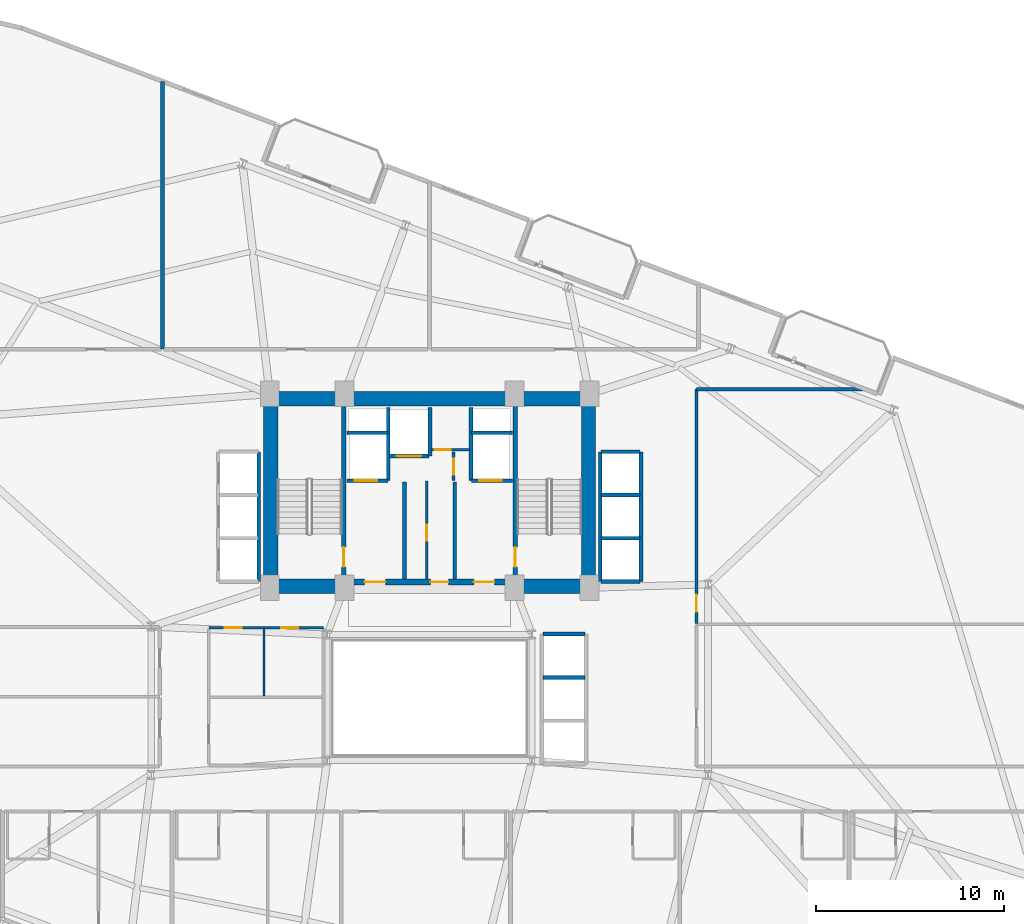
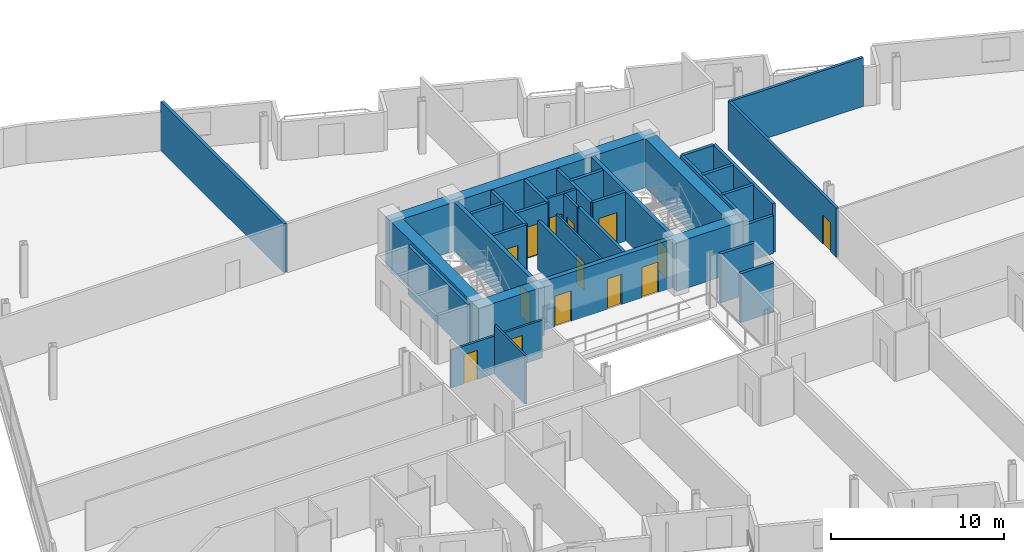
# One storey, part 19 of 25: 35 walls, 14 doors, 14 openings.
"""IFC4 building model written with IfcOpenShell, lengths in metres."""

from ifc_helpers import new_model, si_unit, direction, frame, frame_2d, origin, place, context, subcontext, project, spatial, rectangle, extrude, material, layer, layer_set, type_object, element, fill, save


model = new_model("IFC4")

# Units and contexts
model_context = context("Model", 3, precision=1e-05, world=origin(), true_north=direction((0.0, 1.0)))
body_context = subcontext(model_context, "Body", "Model", "MODEL_VIEW")
ifc_project = project(units=[si_unit("LENGTHUNIT", "METRE"), si_unit("AREAUNIT", "SQUARE_METRE"), si_unit("VOLUMEUNIT", "CUBIC_METRE"), si_unit("PLANEANGLEUNIT", "RADIAN"), si_unit("MASSUNIT", "GRAM", prefix="KILO")], contexts=[model_context])

# Site, building, storey
site_placement = place(None, origin())
site = spatial("IfcSite", under=ifc_project, at=site_placement, CompositionType="ELEMENT")
building_placement = place(site_placement, origin())
building = spatial("IfcBuilding", under=site, at=building_placement, Name="Varnelok Gate Tower", CompositionType="ELEMENT")
storey_placement = place(building_placement, frame((0.0, 0.0, 79.89990234375)))
storey = spatial("IfcBuildingStorey", under=building, at=storey_placement, Name="L19", CompositionType="ELEMENT", Elevation=79.89990234375)

# Wall, opening, door
ifc_material_1 = material(Name="Gypsum Plasterboard Acoustic Partition", Category="gypsum")
ifc_layer_1 = layer(ifc_material_1, 0.179931640625)
ifc_layer_set_1 = layer_set([ifc_layer_1], Name="Gypsum Plasterboard Acoustic Partition")
wall_type_1 = type_object("IfcWallType", Name="PW-CORR-180", PredefinedType="PARTITIONING", material=ifc_layer_set_1)
wall_1_placement = place(storey_placement, frame((53.389892578125, 26.840087890625, 0.0), z_axis=(0.0, 0.0, 1.0), x_axis=(0.0, 1.0, 0.0)))
wall_1 = element("IfcWall", 1, at=wall_1_placement, inside=storey, type_object=wall_type_1, Name="Interior Partition", PredefinedType="PARTITIONING", context=body_context, shape_type="SweptSolid", body=[
    extrude(rectangle(XDim=12.4599609375, YDim=0.179931640625, at=frame_2d((6.22998046875, 0.0))), origin(), (0.0, 0.0, 1.0), 3.4501953125),
])
opening_1_placement = place(wall_1_placement, frame((0.6181640625, 0.0, 0.0)))
opening_1 = element("IfcOpeningElement", 2, at=opening_1_placement, cuts=wall_1, Name="Opening D-I3", PredefinedType="OPENING", context=body_context, shape_type="SweptSolid", body=[
    extrude(rectangle(XDim=0.919921875, YDim=2.050048828125, at=frame_2d((0.4599609375, 1.02490234375))), frame((0.0, 0.099853515625, 0.0), z_axis=(0.0, -1.0, 0.0), x_axis=(1.0, 0.0, 0.0)), (0.0, 0.0, 1.0), 0.199951171875),
])
ifc_material_2 = material(Name="Engineered Hardwood Timber", Category="wood")
door_type_1 = type_object("IfcDoorType", Name="DR-INT-920", OperationType="NOTDEFINED", PredefinedType="DOOR", material=ifc_material_2)
door_1_placement = place(opening_1_placement, origin())
door_1 = element("IfcDoor", 3, at=door_1_placement, inside=storey, type_object=door_type_1, Name="L19 East Playroom Door", OperationType="SINGLE_SWING_LEFT", OverallHeight=2.050048828125, OverallWidth=0.919921875, PredefinedType="DOOR", context=body_context, shape_type="SweptSolid", body=[
    extrude(rectangle(XDim=0.919921875, YDim=2.050048828125, at=frame_2d((0.4599609375, 1.02490234375))), frame((0.0, 0.02490234375, 0.0), z_axis=(0.0, -1.0, 0.0), x_axis=(1.0, 0.0, 0.0)), (0.0, 0.0, 1.0), 0.050048828125),
])
fill(opening_1, door_1)

# Wall
wall_2_placement = place(storey_placement, frame((53.389892578125, 39.300048828125, 0.0), z_axis=(0.0, 0.0, 1.0), x_axis=(1.0, 0.0, 0.0)))
element("IfcWall", 4, at=wall_2_placement, inside=storey, type_object=wall_type_1, Name="Interior Partition", PredefinedType="PARTITIONING", context=body_context, shape_type="SweptSolid", body=[
    extrude(rectangle(XDim=8.87646484375, YDim=0.179931640625, at=frame_2d((4.438232421875, 0.0))), origin(), (0.0, 0.0, 1.0), 3.4501953125),
])

# Wall, opening, door
ifc_layer_2 = layer(ifc_material_1, 0.125)
ifc_layer_set_2 = layer_set([ifc_layer_2], Name="Gypsum Plasterboard Acoustic Partition")
wall_type_2 = type_object("IfcWallType", Name="PW-PART-125", PredefinedType="PARTITIONING", material=ifc_layer_set_2)
wall_3_placement = place(storey_placement, frame((39.050048828125, 29.199951171875, 0.0), z_axis=(0.0, 0.0, 1.0), x_axis=(0.0, 1.0, 0.0)))
wall_3 = element("IfcWall", 5, at=wall_3_placement, inside=storey, type_object=wall_type_2, Name="Interior Partition", PredefinedType="PARTITIONING", context=body_context, shape_type="SweptSolid", body=[
    extrude(rectangle(XDim=5.219970703125, YDim=0.125, at=frame_2d((2.60986328125, 0.0))), origin(), (0.0, 0.0, 1.0), 3.4501953125),
])
opening_2_placement = place(wall_3_placement, frame((2.050048828125, 0.0, 0.0)))
opening_2 = element("IfcOpeningElement", 6, at=opening_2_placement, cuts=wall_3, Name="Opening D-RS", PredefinedType="OPENING", context=body_context, shape_type="SweptSolid", body=[
    extrude(rectangle(XDim=0.85009765625, YDim=2.050048828125, at=frame_2d((0.425048828125, 1.02490234375))), frame((0.0, 0.072509765625, 0.0), z_axis=(0.0, -1.0, 0.0), x_axis=(1.0, 0.0, 0.0)), (0.0, 0.0, 1.0), 0.14501953125),
])
ifc_material_3 = material(Name="Galvanized Steel Grade S350GD", Category="steel")
door_type_2 = type_object("IfcDoorType", Name="DR-RISER-850", OperationType="NOTDEFINED", PredefinedType="DOOR", material=ifc_material_3)
door_2_placement = place(opening_2_placement, origin())
door_2 = element("IfcDoor", 7, at=door_2_placement, inside=storey, type_object=door_type_2, Name="L19 Housekeeping Linen Door", OperationType="SINGLE_SWING_LEFT", OverallHeight=2.050048828125, OverallWidth=0.85009765625, PredefinedType="DOOR", context=body_context, shape_type="SweptSolid", body=[
    extrude(rectangle(XDim=0.85009765625, YDim=2.050048828125, at=frame_2d((0.425048828125, 1.02490234375))), frame((0.0, 0.02490234375, 0.0), z_axis=(0.0, -1.0, 0.0), x_axis=(1.0, 0.0, 0.0)), (0.0, 0.0, 1.0), 0.050048828125),
])
fill(opening_2, door_2)

# Wall
wall_4_placement = place(storey_placement, frame((30.39990234375, 23.0, 0.0), z_axis=(0.0, 0.0, 1.0), x_axis=(0.0, 1.0, 0.0)))
element("IfcWall", 8, at=wall_4_placement, inside=storey, type_object=wall_type_2, Name="Interior Partition", PredefinedType="PARTITIONING", context=body_context, shape_type="SweptSolid", body=[
    extrude(rectangle(XDim=3.5400390625, YDim=0.125, at=frame_2d((1.77001953125, 0.0))), origin(), (0.0, 0.0, 1.0), 3.4501953125),
])

# Wall, opening, door
ifc_layer_3 = layer(ifc_material_1, 0.14990234375)
ifc_layer_set_3 = layer_set([ifc_layer_3], Name="Gypsum Plasterboard Acoustic Partition")
wall_type_3 = type_object("IfcWallType", Name="PW-PART-150", PredefinedType="PARTITIONING", material=ifc_layer_set_3)
wall_5_placement = place(storey_placement, frame((39.300048828125, 36.080078125, 0.0), z_axis=(0.0, 0.0, 1.0), x_axis=(1.0, 0.0, 0.0)))
wall_5 = element("IfcWall", 9, at=wall_5_placement, inside=storey, type_object=wall_type_3, Name="L19 Electrical Closet South Wall", PredefinedType="PARTITIONING", context=body_context, shape_type="SweptSolid", body=[
    extrude(rectangle(XDim=2.02001953125, YDim=0.14990234375, at=frame_2d((1.010009765625, 0.0))), origin(), (0.0, 0.0, 1.0), 3.4501953125),
])
opening_3_placement = place(wall_5_placement, frame((0.179931640625, 0.0, 0.0)))
opening_3 = element("IfcOpeningElement", 10, at=opening_3_placement, cuts=wall_5, Name="Opening D-RS", PredefinedType="OPENING", context=body_context, shape_type="SweptSolid", body=[
    extrude(rectangle(XDim=0.85009765625, YDim=2.050048828125, at=frame_2d((0.425048828125, 1.02490234375))), frame((0.0, 0.0849609375, 0.0), z_axis=(0.0, -1.0, 0.0), x_axis=(1.0, 0.0, 0.0)), (0.0, 0.0, 1.0), 0.169921875),
])
door_3_placement = place(opening_3_placement, origin())
door_3 = element("IfcDoor", 11, at=door_3_placement, inside=storey, type_object=door_type_2, Name="L19 Electrical Closet Door", OperationType="SINGLE_SWING_RIGHT", OverallHeight=2.050048828125, OverallWidth=0.85009765625, PredefinedType="DOOR", context=body_context, shape_type="SweptSolid", body=[
    extrude(rectangle(XDim=0.85009765625, YDim=2.050048828125, at=frame_2d((0.425048828125, 1.02490234375))), frame((0.0, 0.02490234375, 0.0), z_axis=(0.0, -1.0, 0.0), x_axis=(1.0, 0.0, 0.0)), (0.0, 0.0, 1.0), 0.050048828125),
])
fill(opening_3, door_3)

wall_6_placement = place(storey_placement, frame((40.47998046875, 34.43994140625, 0.0), z_axis=(0.0, 0.0, 1.0), x_axis=(0.0, 1.0, 0.0)))
wall_6 = element("IfcWall", 12, at=wall_6_placement, inside=storey, type_object=wall_type_3, Name="L19 Telecoms Closet West Wall", PredefinedType="PARTITIONING", context=body_context, shape_type="SweptSolid", body=[
    extrude(rectangle(XDim=1.52001953125, YDim=0.14990234375, at=frame_2d((0.760009765625, 0.0))), origin(), (0.0, 0.0, 1.0), 3.4501953125),
])
opening_4_placement = place(wall_6_placement, frame((0.320068359375, 0.0, 0.0)))
opening_4 = element("IfcOpeningElement", 13, at=opening_4_placement, cuts=wall_6, Name="Opening D-RS", PredefinedType="OPENING", context=body_context, shape_type="SweptSolid", body=[
    extrude(rectangle(XDim=0.85009765625, YDim=2.050048828125, at=frame_2d((0.425048828125, 1.02490234375))), frame((0.0, 0.0849609375, 0.0), z_axis=(0.0, -1.0, 0.0), x_axis=(1.0, 0.0, 0.0)), (0.0, 0.0, 1.0), 0.169921875),
])
door_4_placement = place(opening_4_placement, origin())
door_4 = element("IfcDoor", 14, at=door_4_placement, inside=storey, type_object=door_type_2, Name="L19 Telecoms Closet Door", OperationType="SINGLE_SWING_LEFT", OverallHeight=2.050048828125, OverallWidth=0.85009765625, PredefinedType="DOOR", context=body_context, shape_type="SweptSolid", body=[
    extrude(rectangle(XDim=0.85009765625, YDim=2.050048828125, at=frame_2d((0.425048828125, 1.02490234375))), frame((0.0, 0.02490234375, 0.0), z_axis=(0.0, -1.0, 0.0), x_axis=(1.0, 0.0, 0.0)), (0.0, 0.0, 1.0), 0.050048828125),
])
fill(opening_4, door_4)

# Wall, openings, doors
wall_7_placement = place(storey_placement, frame((27.4599609375, 26.6201171875, 0.0), z_axis=(0.0, 0.0, 1.0), x_axis=(1.0, 0.0, 0.0)))
wall_7 = element("IfcWall", 15, at=wall_7_placement, inside=storey, type_object=wall_type_3, Name="Interior Partition", PredefinedType="PARTITIONING", context=body_context, shape_type="SweptSolid", body=[
    extrude(rectangle(XDim=6.10009765625, YDim=0.14990234375, at=frame_2d((3.050048828125, 0.0))), origin(), (0.0, 0.0, 1.0), 2.662109375),
])
opening_5_placement = place(wall_7_placement, frame((0.85009765625, 0.0, 0.0)))
opening_5 = element("IfcOpeningElement", 16, at=opening_5_placement, cuts=wall_7, Name="Opening D-WC", PredefinedType="OPENING", context=body_context, shape_type="SweptSolid", body=[
    extrude(rectangle(XDim=0.89990234375, YDim=2.050048828125, at=frame_2d((0.449951171875, 1.02490234375))), frame((0.0, 0.0849609375, 0.0), z_axis=(0.0, -1.0, 0.0), x_axis=(1.0, 0.0, 0.0)), (0.0, 0.0, 1.0), 0.169921875),
])
opening_6_placement = place(wall_7_placement, frame((3.85009765625, 0.0, 0.0)))
opening_6 = element("IfcOpeningElement", 17, at=opening_6_placement, cuts=wall_7, Name="Opening D-I3", PredefinedType="OPENING", context=body_context, shape_type="SweptSolid", body=[
    extrude(rectangle(XDim=0.919921875, YDim=2.050048828125, at=frame_2d((0.4599609375, 1.02490234375))), frame((0.0, 0.0849609375, 0.0), z_axis=(0.0, -1.0, 0.0), x_axis=(1.0, 0.0, 0.0)), (0.0, 0.0, 1.0), 0.169921875),
])
door_type_3 = type_object("IfcDoorType", Name="DR-BATH-900", OperationType="NOTDEFINED", PredefinedType="DOOR", material=ifc_material_2)
door_5_placement = place(opening_5_placement, origin())
door_5 = element("IfcDoor", 18, at=door_5_placement, inside=storey, type_object=door_type_3, Name="L19 Accessible Floor WC Door", OperationType="SINGLE_SWING_RIGHT", OverallHeight=2.050048828125, OverallWidth=0.89990234375, PredefinedType="DOOR", context=body_context, shape_type="SweptSolid", body=[
    extrude(rectangle(XDim=0.89990234375, YDim=2.050048828125, at=frame_2d((0.449951171875, 1.02490234375))), frame((0.0, 0.02490234375, 0.0), z_axis=(0.0, -1.0, 0.0), x_axis=(1.0, 0.0, 0.0)), (0.0, 0.0, 1.0), 0.050048828125),
])
fill(opening_5, door_5)
door_6_placement = place(opening_6_placement, origin())
door_6 = element("IfcDoor", 19, at=door_6_placement, inside=storey, type_object=door_type_1, Name="L19 Cleaner Supply Door", OperationType="SINGLE_SWING_LEFT", OverallHeight=2.050048828125, OverallWidth=0.919921875, PredefinedType="DOOR", context=body_context, shape_type="SweptSolid", body=[
    extrude(rectangle(XDim=0.919921875, YDim=2.050048828125, at=frame_2d((0.4599609375, 1.02490234375))), frame((0.0, 0.02490234375, 0.0), z_axis=(0.0, -1.0, 0.0), x_axis=(1.0, 0.0, 0.0)), (0.0, 0.0, 1.0), 0.050048828125),
])
fill(opening_6, door_6)

# Walls
ifc_layer_4 = layer(ifc_material_1, 0.205078125)
ifc_layer_set_4 = layer_set([ifc_layer_4], Name="Gypsum Plasterboard Acoustic Partition")
wall_type_4 = type_object("IfcWallType", Name="PW-PARTY-200", PredefinedType="PARTITIONING", material=ifc_layer_set_4)
wall_8_placement = place(storey_placement, frame((25.0, 41.429931640625, 0.0), z_axis=(0.0, 0.0, 1.0), x_axis=(0.0, 1.0, 0.0)))
element("IfcWall", 20, at=wall_8_placement, inside=storey, type_object=wall_type_4, Name="L19 North Party Wall 1", PredefinedType="PARTITIONING", context=body_context, shape_type="SweptSolid", body=[
    extrude(rectangle(XDim=14.22412109375, YDim=0.205078125, at=frame_2d((7.112060546875, 0.0))), origin(), (0.0, 0.0, 1.0), 3.4501953125),
])
ifc_material_4 = material(Name="Concrete C35/45", Category="concrete")
ifc_layer_5 = layer(ifc_material_4, 0.199951171875)
ifc_layer_set_5 = layer_set([ifc_layer_5], Name="Concrete C35/45")
wall_type_5 = type_object("IfcWallType", Name="PW-SHAFT-200", PredefinedType="PARTITIONING", material=ifc_layer_set_5)
for number, where, z_axis, x_axis, name in (
    (21, (37.860107421875, 29.199951171875, 0.0), (0.0, 0.0, 1.0), (0.0, 1.0, 0.0), "L19 West FF Lobby Rated Wall"),
    (22, (40.5400390625, 29.199951171875, 0.0), (0.0, 0.0, 1.0), (0.0, 1.0, 0.0), "L19 East FF Lobby Rated Wall"),
):
    element("IfcWall", number, at=place(storey_placement, frame(where, z_axis=z_axis, x_axis=x_axis)), inside=storey, type_object=wall_type_5, Name=name, PredefinedType="PARTITIONING", context=body_context, shape_type="SweptSolid", body=[
        extrude(rectangle(XDim=5.179931640625, YDim=0.199951171875, at=frame_2d((2.58984375, 0.0))), origin(), (0.0, 0.0, 1.0), 3.4501953125),
    ])

# Wall, opening, door
wall_9_placement = place(storey_placement, frame((34.800048828125, 34.43994140625, 0.0), z_axis=(0.0, 0.0, 1.0), x_axis=(1.0, 0.0, 0.0)))
wall_9 = element("IfcWall", 23, at=wall_9_placement, inside=storey, type_object=wall_type_5, Name="L19 FF1 Shaft Front Wall", PredefinedType="PARTITIONING", context=body_context, shape_type="SweptSolid", body=[
    extrude(rectangle(XDim=2.179931640625, YDim=0.199951171875, at=frame_2d((1.08984375, 0.0))), origin(), (0.0, 0.0, 1.0), 3.4501953125),
])
opening_7_placement = place(wall_9_placement, frame((0.419921875, 0.0, 0.0)))
opening_7 = element("IfcOpeningElement", 24, at=opening_7_placement, cuts=wall_9, Name="Opening LD-FF1", PredefinedType="OPENING", context=body_context, shape_type="SweptSolid", body=[
    extrude(rectangle(XDim=1.199951171875, YDim=2.199951171875, at=frame_2d((0.60009765625, 1.10009765625))), frame((0.0, 0.10986328125, 0.0), z_axis=(0.0, -1.0, 0.0), x_axis=(1.0, 0.0, 0.0)), (0.0, 0.0, 1.0), 0.219970703125),
])
door_type_4 = type_object("IfcDoorType", Name="DR-LIFT-FF1200", OperationType="SLIDING_TO_LEFT", PredefinedType="DOOR", material=ifc_material_3)
door_7_placement = place(opening_7_placement, origin())
door_7 = element("IfcDoor", 25, at=door_7_placement, inside=storey, type_object=door_type_4, Name="L19 Firefighting Lift Landing Door LD-FF1", OperationType="SLIDING_TO_LEFT", OverallHeight=2.199951171875, OverallWidth=1.199951171875, PredefinedType="DOOR", context=body_context, shape_type="SweptSolid", body=[
    extrude(rectangle(XDim=1.199951171875, YDim=2.199951171875, at=frame_2d((0.60009765625, 1.10009765625))), frame((0.0, 0.02490234375, 0.0), z_axis=(0.0, -1.0, 0.0), x_axis=(1.0, 0.0, 0.0)), (0.0, 0.0, 1.0), 0.050048828125),
])
fill(opening_7, door_7)

# Walls
wall_10_placement = place(storey_placement, frame((34.800048828125, 36.97998046875, 0.0), z_axis=(0.0, 0.0, 1.0), x_axis=(1.0, 0.0, 0.0)))
element("IfcWall", 26, at=wall_10_placement, inside=storey, type_object=wall_type_5, Name="L19 FF1 Shaft North Wall", PredefinedType="PARTITIONING", context=body_context, shape_type="SweptSolid", body=[
    extrude(rectangle(XDim=2.179931640625, YDim=0.199951171875, at=frame_2d((1.08984375, 0.0))), origin(), (0.0, 0.0, 1.0), 3.4501953125),
])
wall_11_placement = place(storey_placement, frame((37.0, 34.43994140625, 0.0), z_axis=(0.0, 0.0, 1.0), x_axis=(0.0, 1.0, 0.0)))
element("IfcWall", 27, at=wall_11_placement, inside=storey, type_object=wall_type_5, Name="L19 FF1 Shaft Side Wall", PredefinedType="PARTITIONING", context=body_context, shape_type="SweptSolid", body=[
    extrude(rectangle(XDim=3.900146484375, YDim=0.199951171875, at=frame_2d((1.9501953125, 0.0))), origin(), (0.0, 0.0, 1.0), 3.4501953125),
])

# Wall, opening, door
wall_12_placement = place(storey_placement, frame((41.419921875, 34.43994140625, 0.0), z_axis=(0.0, 0.0, 1.0), x_axis=(1.0, 0.0, 0.0)))
wall_12 = element("IfcWall", 28, at=wall_12_placement, inside=storey, type_object=wall_type_5, Name="L19 FF2 Shaft Front Wall", PredefinedType="PARTITIONING", context=body_context, shape_type="SweptSolid", body=[
    extrude(rectangle(XDim=2.18017578125, YDim=0.199951171875, at=frame_2d((1.090087890625, 0.0))), origin(), (0.0, 0.0, 1.0), 3.4501953125),
])
opening_8_placement = place(wall_12_placement, frame((0.419921875, 0.0, 0.0)))
opening_8 = element("IfcOpeningElement", 29, at=opening_8_placement, cuts=wall_12, Name="Opening LD-FF2", PredefinedType="OPENING", context=body_context, shape_type="SweptSolid", body=[
    extrude(rectangle(XDim=1.199951171875, YDim=2.199951171875, at=frame_2d((0.60009765625, 1.10009765625))), frame((0.0, 0.10986328125, 0.0), z_axis=(0.0, -1.0, 0.0), x_axis=(1.0, 0.0, 0.0)), (0.0, 0.0, 1.0), 0.219970703125),
])
door_8_placement = place(opening_8_placement, origin())
door_8 = element("IfcDoor", 30, at=door_8_placement, inside=storey, type_object=door_type_4, Name="L19 Firefighting Lift Landing Door LD-FF2", OperationType="SLIDING_TO_LEFT", OverallHeight=2.199951171875, OverallWidth=1.199951171875, PredefinedType="DOOR", context=body_context, shape_type="SweptSolid", body=[
    extrude(rectangle(XDim=1.199951171875, YDim=2.199951171875, at=frame_2d((0.60009765625, 1.10009765625))), frame((0.0, 0.02490234375, 0.0), z_axis=(0.0, -1.0, 0.0), x_axis=(1.0, 0.0, 0.0)), (0.0, 0.0, 1.0), 0.050048828125),
])
fill(opening_8, door_8)

# Walls
wall_13_placement = place(storey_placement, frame((41.419921875, 36.97998046875, 0.0), z_axis=(0.0, 0.0, 1.0), x_axis=(1.0, 0.0, 0.0)))
element("IfcWall", 31, at=wall_13_placement, inside=storey, type_object=wall_type_5, Name="L19 FF2 Shaft North Wall", PredefinedType="PARTITIONING", context=body_context, shape_type="SweptSolid", body=[
    extrude(rectangle(XDim=2.18017578125, YDim=0.199951171875, at=frame_2d((1.090087890625, 0.0))), origin(), (0.0, 0.0, 1.0), 3.4501953125),
])
wall_14_placement = place(storey_placement, frame((41.39990234375, 34.43994140625, 0.0), z_axis=(0.0, 0.0, 1.0), x_axis=(0.0, 1.0, 0.0)))
element("IfcWall", 32, at=wall_14_placement, inside=storey, type_object=wall_type_5, Name="L19 FF2 Shaft Side Wall", PredefinedType="PARTITIONING", context=body_context, shape_type="SweptSolid", body=[
    extrude(rectangle(XDim=3.900146484375, YDim=0.199951171875, at=frame_2d((1.9501953125, 0.0))), origin(), (0.0, 0.0, 1.0), 3.4501953125),
])

# Wall, opening, door
wall_15_placement = place(storey_placement, frame((37.06005859375, 35.75, 0.0), z_axis=(0.0, 0.0, 1.0), x_axis=(1.0, 0.0, 0.0)))
wall_15 = element("IfcWall", 33, at=wall_15_placement, inside=storey, type_object=wall_type_5, Name="L19 SV1 Shaft Front Wall", PredefinedType="PARTITIONING", context=body_context, shape_type="SweptSolid", body=[
    extrude(rectangle(XDim=2.119873046875, YDim=0.199951171875, at=frame_2d((1.06005859375, 0.0))), origin(), (0.0, 0.0, 1.0), 3.4501953125),
])
opening_9_placement = place(wall_15_placement, frame((0.39990234375, 0.0, 0.0)))
opening_9 = element("IfcOpeningElement", 34, at=opening_9_placement, cuts=wall_15, Name="Opening LD-SV1", PredefinedType="OPENING", context=body_context, shape_type="SweptSolid", body=[
    extrude(rectangle(XDim=1.300048828125, YDim=2.199951171875, at=frame_2d((0.64990234375, 1.10009765625))), frame((0.0, 0.10986328125, 0.0), z_axis=(0.0, -1.0, 0.0), x_axis=(1.0, 0.0, 0.0)), (0.0, 0.0, 1.0), 0.219970703125),
])
door_type_5 = type_object("IfcDoorType", Name="DR-LIFT-SV1300", OperationType="SLIDING_TO_LEFT", PredefinedType="DOOR", material=ifc_material_3)
door_9_placement = place(opening_9_placement, origin())
door_9 = element("IfcDoor", 35, at=door_9_placement, inside=storey, type_object=door_type_5, Name="L19 Service Lift Landing Door LD-SV1", OperationType="SLIDING_TO_LEFT", OverallHeight=2.199951171875, OverallWidth=1.300048828125, PredefinedType="DOOR", context=body_context, shape_type="SweptSolid", body=[
    extrude(rectangle(XDim=1.300048828125, YDim=2.199951171875, at=frame_2d((0.64990234375, 1.10009765625))), frame((0.0, 0.02490234375, 0.0), z_axis=(0.0, -1.0, 0.0), x_axis=(1.0, 0.0, 0.0)), (0.0, 0.0, 1.0), 0.050048828125),
])
fill(opening_9, door_9)

# Walls
wall_16_placement = place(storey_placement, frame((39.219970703125, 35.75, 0.0), z_axis=(0.0, 0.0, 1.0), x_axis=(0.0, 1.0, 0.0)))
element("IfcWall", 36, at=wall_16_placement, inside=storey, type_object=wall_type_5, Name="L19 SV1 Shaft East Wall", PredefinedType="PARTITIONING", context=body_context, shape_type="SweptSolid", body=[
    extrude(rectangle(XDim=2.590087890625, YDim=0.199951171875, at=frame_2d((1.294921875, 0.0))), origin(), (0.0, 0.0, 1.0), 3.4501953125),
])
wall_17_placement = place(storey_placement, frame((30.1201171875, 29.080078125, 0.0), z_axis=(0.0, 0.0, 1.0), x_axis=(0.0, 1.0, 0.0)))
element("IfcWall", 37, at=wall_17_placement, inside=storey, type_object=wall_type_5, Name="L19 PL Bank Back Wall", PredefinedType="PARTITIONING", context=body_context, shape_type="SweptSolid", body=[
    extrude(rectangle(XDim=6.889892578125, YDim=0.199951171875, at=frame_2d((3.44482421875, 0.0))), origin(), (0.0, 0.0, 1.0), 3.4501953125),
])
for number, where, z_axis, x_axis, name in (
    (38, (48.320068359375, 31.375, 0.0), (0.0, 0.0, 1.0), (1.0, 0.0, 0.0), "L19 PM1 Divider"),
    (39, (48.320068359375, 33.675048828125, 0.0), (0.0, 0.0, 1.0), (1.0, 0.0, 0.0), "L19 PM2 Divider"),
):
    element("IfcWall", number, at=place(storey_placement, frame(where, z_axis=z_axis, x_axis=x_axis)), inside=storey, type_object=wall_type_5, Name=name, PredefinedType="PARTITIONING", context=body_context, shape_type="SweptSolid", body=[
        extrude(rectangle(XDim=2.059814453125, YDim=0.199951171875, at=frame_2d((1.02978515625, 0.0))), origin(), (0.0, 0.0, 1.0), 3.4501953125),
    ])
wall_18_placement = place(storey_placement, frame((48.320068359375, 29.080078125, 0.0), z_axis=(0.0, 0.0, 1.0), x_axis=(1.0, 0.0, 0.0)))
element("IfcWall", 40, at=wall_18_placement, inside=storey, type_object=wall_type_5, Name="L19 PM Bank South Wall", PredefinedType="PARTITIONING", context=body_context, shape_type="SweptSolid", body=[
    extrude(rectangle(XDim=2.059814453125, YDim=0.199951171875, at=frame_2d((1.02978515625, 0.0))), origin(), (0.0, 0.0, 1.0), 2.662109375),
])
wall_19_placement = place(storey_placement, frame((48.320068359375, 35.969970703125, 0.0), z_axis=(0.0, 0.0, 1.0), x_axis=(1.0, 0.0, 0.0)))
element("IfcWall", 41, at=wall_19_placement, inside=storey, type_object=wall_type_5, Name="L19 PM Bank North Wall", PredefinedType="PARTITIONING", context=body_context, shape_type="SweptSolid", body=[
    extrude(rectangle(XDim=2.059814453125, YDim=0.199951171875, at=frame_2d((1.02978515625, 0.0))), origin(), (0.0, 0.0, 1.0), 3.4501953125),
])
for number, where, z_axis, x_axis, name in (
    (42, (48.280029296875, 29.080078125, 0.0), (0.0, 0.0, 1.0), (0.0, 1.0, 0.0), "L19 PM Bank Back Wall"),
    (43, (50.43994140625, 29.080078125, 0.0), (0.0, 0.0, 1.0), (0.0, 1.0, 0.0), "L19 PM Bank Front Wall"),
):
    element("IfcWall", number, at=place(storey_placement, frame(where, z_axis=z_axis, x_axis=x_axis)), inside=storey, type_object=wall_type_5, Name=name, PredefinedType="PARTITIONING", context=body_context, shape_type="SweptSolid", body=[
        extrude(rectangle(XDim=6.889892578125, YDim=0.199951171875, at=frame_2d((3.44482421875, 0.0))), origin(), (0.0, 0.0, 1.0), 3.4501953125),
    ])
for number, where, z_axis, x_axis, name in (
    (44, (45.239990234375, 23.97509765625, 0.0), (0.0, 0.0, 1.0), (1.0, 0.0, 0.0), "L19 PH2 Divider"),
    (45, (45.239990234375, 26.280029296875, 0.0), (0.0, 0.0, 1.0), (1.0, 0.0, 0.0), "L19 PH Bank North Wall"),
):
    element("IfcWall", number, at=place(storey_placement, frame(where, z_axis=z_axis, x_axis=x_axis)), inside=storey, type_object=wall_type_5, Name=name, PredefinedType="PARTITIONING", context=body_context, shape_type="SweptSolid", body=[
        extrude(rectangle(XDim=2.219970703125, YDim=0.199951171875, at=frame_2d((1.10986328125, 0.0))), origin(), (0.0, 0.0, 1.0), 3.4501953125),
    ])
ifc_material_5 = material(Name="Concrete C70/85", Category="concrete")
ifc_layer_6 = layer(ifc_material_5, 0.75)
ifc_layer_set_6 = layer_set([ifc_layer_6], Name="Concrete C70/85")
wall_type_6 = type_object("IfcWallType", Name="SW-CORE-750", PredefinedType="SHEAR", material=ifc_layer_set_6)
wall_20_placement = place(storey_placement, frame((30.3798828125, 38.794921875, 0.0), z_axis=(0.0, 0.0, 1.0), x_axis=(1.0, 0.0, 0.0)))
element("IfcWall", 46, at=wall_20_placement, inside=storey, type_object=wall_type_6, Name="L19 Rear Core North Shear Wall", PredefinedType="SHEAR", context=body_context, shape_type="SweptSolid", body=[
    extrude(rectangle(XDim=17.64013671875, YDim=0.75, at=frame_2d((8.820068359375, 0.0))), origin(), (0.0, 0.0, 1.0), 3.4501953125),
])
for number, where, z_axis, x_axis, name in (
    (47, (30.7548828125, 29.199951171875, 0.0), (0.0, 0.0, 1.0), (0.0, 1.0, 0.0), "L19 Rear Core West Shear Wall"),
    (48, (47.64501953125, 29.199951171875, 0.0), (0.0, 0.0, 1.0), (0.0, 1.0, 0.0), "L19 Rear Core East Shear Wall"),
):
    element("IfcWall", number, at=place(storey_placement, frame(where, z_axis=z_axis, x_axis=x_axis)), inside=storey, type_object=wall_type_6, Name=name, PredefinedType="SHEAR", context=body_context, shape_type="SweptSolid", body=[
        extrude(rectangle(XDim=9.219970703125, YDim=0.75, at=frame_2d((4.60986328125, 0.0))), origin(), (0.0, 0.0, 1.0), 3.4501953125),
    ])
wall_21_placement = place(storey_placement, frame((30.3798828125, 28.824951171875, 0.0), z_axis=(0.0, 0.0, 1.0), x_axis=(1.0, 0.0, 0.0)))
element("IfcWall", 49, at=wall_21_placement, inside=storey, type_object=wall_type_6, Name="L19 Rear Core South-West Shear Wall", PredefinedType="SHEAR", context=body_context, shape_type="SweptSolid", body=[
    extrude(rectangle(XDim=4.420166015625, YDim=0.75, at=frame_2d((2.2099609375, 0.0))), origin(), (0.0, 0.0, 1.0), 3.4501953125),
])
wall_22_placement = place(storey_placement, frame((43.60009765625, 28.824951171875, 0.0), z_axis=(0.0, 0.0, 1.0), x_axis=(1.0, 0.0, 0.0)))
element("IfcWall", 50, at=wall_22_placement, inside=storey, type_object=wall_type_6, Name="L19 Rear Core South-East Shear Wall", PredefinedType="SHEAR", context=body_context, shape_type="SweptSolid", body=[
    extrude(rectangle(XDim=4.419921875, YDim=0.75, at=frame_2d((2.2099609375, 0.0))), origin(), (0.0, 0.0, 1.0), 3.4501953125),
])

# Wall, opening, door
ifc_material_6 = material(Name="Concrete C60/75", Category="concrete")
ifc_layer_7 = layer(ifc_material_6, 0.25)
ifc_layer_set_7 = layer_set([ifc_layer_7], Name="Concrete C60/75")
wall_type_7 = type_object("IfcWallType", Name="SW-SHAFT-250", PredefinedType="SHEAR", material=ifc_layer_set_7)
wall_23_placement = place(storey_placement, frame((34.639892578125, 29.199951171875, 0.0), z_axis=(0.0, 0.0, 1.0), x_axis=(0.0, 1.0, 0.0)))
wall_23 = element("IfcWall", 51, at=wall_23_placement, inside=storey, type_object=wall_type_7, Name="L19 Stair ST-1 East Shear Wall", PredefinedType="SHEAR", context=body_context, shape_type="SweptSolid", body=[
    extrude(rectangle(XDim=9.219970703125, YDim=0.25, at=frame_2d((4.60986328125, 0.0))), origin(), (0.0, 0.0, 1.0), 3.4501953125),
])
opening_10_placement = place(wall_23_placement, frame((0.64990234375, 0.0, 0.0)))
opening_10 = element("IfcOpeningElement", 52, at=opening_10_placement, cuts=wall_23, Name="Opening D-ST", PredefinedType="OPENING", context=body_context, shape_type="SweptSolid", body=[
    extrude(rectangle(XDim=1.050048828125, YDim=2.14990234375, at=frame_2d((0.52490234375, 1.074951171875))), frame((0.0, 0.135009765625, 0.0), z_axis=(0.0, -1.0, 0.0), x_axis=(1.0, 0.0, 0.0)), (0.0, 0.0, 1.0), 0.27001953125),
])
door_type_6 = type_object("IfcDoorType", Name="DR-STAIR-1050", OperationType="NOTDEFINED", PredefinedType="DOOR", material=ifc_material_3)
door_10_placement = place(opening_10_placement, origin())
door_10 = element("IfcDoor", 53, at=door_10_placement, inside=storey, type_object=door_type_6, Name="L19 Exit Stair ST-1 Fire Door", OperationType="SINGLE_SWING_LEFT", OverallHeight=2.14990234375, OverallWidth=1.050048828125, PredefinedType="DOOR", context=body_context, shape_type="SweptSolid", body=[
    extrude(rectangle(XDim=1.050048828125, YDim=2.14990234375, at=frame_2d((0.52490234375, 1.074951171875))), frame((0.0, 0.02490234375, 0.0), z_axis=(0.0, -1.0, 0.0), x_axis=(1.0, 0.0, 0.0)), (0.0, 0.0, 1.0), 0.050048828125),
])
fill(opening_10, door_10)

wall_24_placement = place(storey_placement, frame((43.760009765625, 29.199951171875, 0.0), z_axis=(0.0, 0.0, 1.0), x_axis=(0.0, 1.0, 0.0)))
wall_24 = element("IfcWall", 54, at=wall_24_placement, inside=storey, type_object=wall_type_7, Name="L19 Stair ST-2 West Shear Wall", PredefinedType="SHEAR", context=body_context, shape_type="SweptSolid", body=[
    extrude(rectangle(XDim=9.219970703125, YDim=0.25, at=frame_2d((4.60986328125, 0.0))), origin(), (0.0, 0.0, 1.0), 3.4501953125),
])
opening_11_placement = place(wall_24_placement, frame((0.64990234375, 0.0, 0.0)))
opening_11 = element("IfcOpeningElement", 55, at=opening_11_placement, cuts=wall_24, Name="Opening D-ST", PredefinedType="OPENING", context=body_context, shape_type="SweptSolid", body=[
    extrude(rectangle(XDim=1.050048828125, YDim=2.14990234375, at=frame_2d((0.52490234375, 1.074951171875))), frame((0.0, 0.135009765625, 0.0), z_axis=(0.0, -1.0, 0.0), x_axis=(1.0, 0.0, 0.0)), (0.0, 0.0, 1.0), 0.27001953125),
])
door_11_placement = place(opening_11_placement, origin())
door_11 = element("IfcDoor", 56, at=door_11_placement, inside=storey, type_object=door_type_6, Name="L19 Exit Stair ST-2 Fire Door", OperationType="SINGLE_SWING_RIGHT", OverallHeight=2.14990234375, OverallWidth=1.050048828125, PredefinedType="DOOR", context=body_context, shape_type="SweptSolid", body=[
    extrude(rectangle(XDim=1.050048828125, YDim=2.14990234375, at=frame_2d((0.52490234375, 1.074951171875))), frame((0.0, 0.02490234375, 0.0), z_axis=(0.0, -1.0, 0.0), x_axis=(1.0, 0.0, 0.0)), (0.0, 0.0, 1.0), 0.050048828125),
])
fill(opening_11, door_11)

# Wall, openings, doors
ifc_layer_8 = layer(ifc_material_6, 0.300048828125)
ifc_layer_set_8 = layer_set([ifc_layer_8], Name="Concrete C60/75")
wall_type_8 = type_object("IfcWallType", Name="SW-SHAFT-300", PredefinedType="SHEAR", material=ifc_layer_set_8)
wall_25_placement = place(storey_placement, frame((34.800048828125, 29.050048828125, 0.0), z_axis=(0.0, 0.0, 1.0), x_axis=(1.0, 0.0, 0.0)))
wall_25 = element("IfcWall", 57, at=wall_25_placement, inside=storey, type_object=wall_type_8, Name="L19 Rear Core Central Lobby Shear Wall", PredefinedType="SHEAR", context=body_context, shape_type="SweptSolid", body=[
    extrude(rectangle(XDim=8.800048828125, YDim=0.300048828125, at=frame_2d((4.39990234375, 0.0))), origin(), (0.0, 0.0, 1.0), 3.4501953125),
])
opening_12_placement = place(wall_25_placement, frame((0.949951171875, 0.0, 0.0)))
opening_12 = element("IfcOpeningElement", 58, at=opening_12_placement, cuts=wall_25, Name="Opening D-FF", PredefinedType="OPENING", context=body_context, shape_type="SweptSolid", body=[
    extrude(rectangle(XDim=1.10009765625, YDim=2.14990234375, at=frame_2d((0.550048828125, 1.074951171875))), frame((0.0, 0.159912109375, 0.0), z_axis=(0.0, -1.0, 0.0), x_axis=(1.0, 0.0, 0.0)), (0.0, 0.0, 1.0), 0.320068359375),
])
opening_13_placement = place(wall_25_placement, frame((6.75, 0.0, 0.0)))
opening_13 = element("IfcOpeningElement", 59, at=opening_13_placement, cuts=wall_25, Name="Opening D-FF", PredefinedType="OPENING", context=body_context, shape_type="SweptSolid", body=[
    extrude(rectangle(XDim=1.10009765625, YDim=2.14990234375, at=frame_2d((0.550048828125, 1.074951171875))), frame((0.0, 0.159912109375, 0.0), z_axis=(0.0, -1.0, 0.0), x_axis=(1.0, 0.0, 0.0)), (0.0, 0.0, 1.0), 0.320068359375),
])
opening_14_placement = place(wall_25_placement, frame((4.449951171875, 0.0, 0.0)))
opening_14 = element("IfcOpeningElement", 60, at=opening_14_placement, cuts=wall_25, Name="Opening D-CR", PredefinedType="OPENING", context=body_context, shape_type="SweptSolid", body=[
    extrude(rectangle(XDim=0.949951171875, YDim=2.14990234375, at=frame_2d((0.47509765625, 1.074951171875))), frame((0.0, 0.159912109375, 0.0), z_axis=(0.0, -1.0, 0.0), x_axis=(1.0, 0.0, 0.0)), (0.0, 0.0, 1.0), 0.320068359375),
])
door_type_7 = type_object("IfcDoorType", Name="DR-CORR-950", OperationType="NOTDEFINED", PredefinedType="DOOR", material=ifc_material_3)
door_12_placement = place(opening_14_placement, origin())
door_12 = element("IfcDoor", 61, at=door_12_placement, inside=storey, type_object=door_type_7, Name="L19 Core Service Passage Door", OperationType="SINGLE_SWING_LEFT", OverallHeight=2.14990234375, OverallWidth=0.949951171875, PredefinedType="DOOR", context=body_context, shape_type="SweptSolid", body=[
    extrude(rectangle(XDim=0.949951171875, YDim=2.14990234375, at=frame_2d((0.47509765625, 1.074951171875))), frame((0.0, 0.02490234375, 0.0), z_axis=(0.0, -1.0, 0.0), x_axis=(1.0, 0.0, 0.0)), (0.0, 0.0, 1.0), 0.050048828125),
])
fill(opening_14, door_12)
door_type_8 = type_object("IfcDoorType", Name="DR-FFLOB-1100", OperationType="NOTDEFINED", PredefinedType="DOOR", material=ifc_material_3)
door_13_placement = place(opening_12_placement, origin())
door_13 = element("IfcDoor", 62, at=door_13_placement, inside=storey, type_object=door_type_8, Name="L19 West Firefighting Lobby Fire Door", OperationType="SINGLE_SWING_RIGHT", OverallHeight=2.14990234375, OverallWidth=1.10009765625, PredefinedType="DOOR", context=body_context, shape_type="SweptSolid", body=[
    extrude(rectangle(XDim=1.10009765625, YDim=2.14990234375, at=frame_2d((0.550048828125, 1.074951171875))), frame((0.0, 0.02490234375, 0.0), z_axis=(0.0, -1.0, 0.0), x_axis=(1.0, 0.0, 0.0)), (0.0, 0.0, 1.0), 0.050048828125),
])
fill(opening_12, door_13)
door_14_placement = place(opening_13_placement, origin())
door_14 = element("IfcDoor", 63, at=door_14_placement, inside=storey, type_object=door_type_8, Name="L19 East Firefighting Lobby Fire Door", OperationType="SINGLE_SWING_LEFT", OverallHeight=2.14990234375, OverallWidth=1.10009765625, PredefinedType="DOOR", context=body_context, shape_type="SweptSolid", body=[
    extrude(rectangle(XDim=1.10009765625, YDim=2.14990234375, at=frame_2d((0.550048828125, 1.074951171875))), frame((0.0, 0.02490234375, 0.0), z_axis=(0.0, -1.0, 0.0), x_axis=(1.0, 0.0, 0.0)), (0.0, 0.0, 1.0), 0.050048828125),
])
fill(opening_13, door_14)

save(model, "model.ifc")
